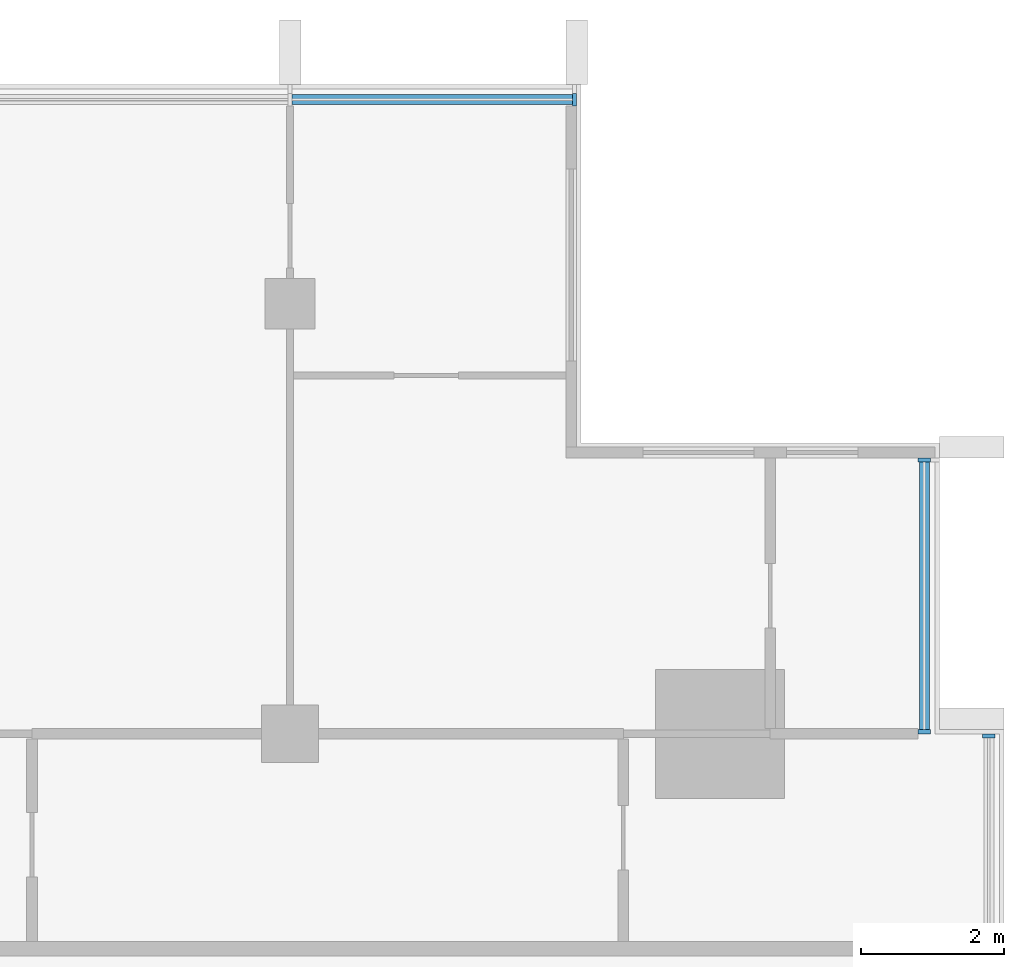
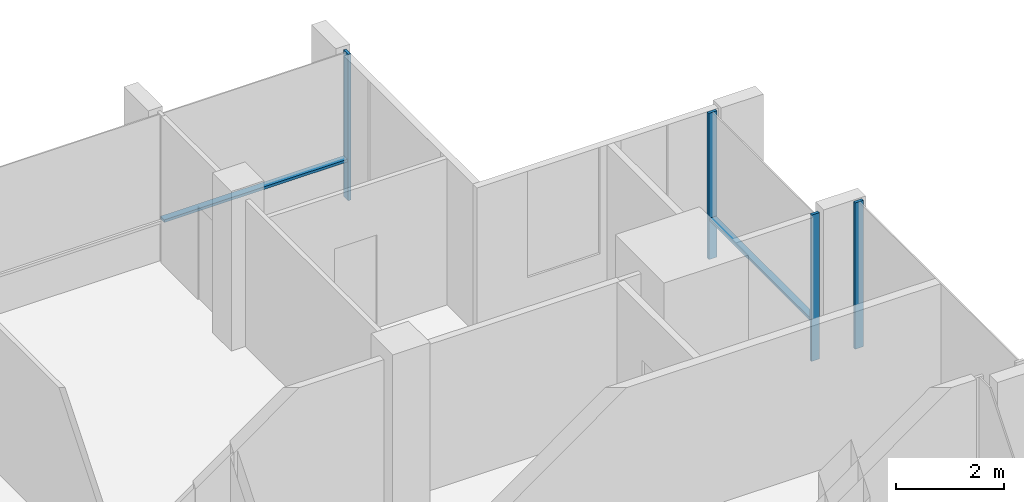
# One storey, part 5 of 16: 6 members, 3 elements without a shape of their own.
"""IFC4 building model written with IfcOpenShell, lengths in metres."""

from ifc_helpers import new_model, si_unit, direction, frame, origin, origin_2d, place, context, subcontext, project, spatial, rectangle, extrude, material, material_profile, profile_set, type_object, element, aggregate, save


model = new_model("IFC4")

# Units and contexts
model_context = context("Model", 3, precision=1e-05, world=origin(), true_north=direction((0.0, 1.0)))
body_context = subcontext(model_context, "Body", "Model", "MODEL_VIEW")
ifc_project = project(units=[si_unit("LENGTHUNIT", "METRE"), si_unit("AREAUNIT", "SQUARE_METRE"), si_unit("VOLUMEUNIT", "CUBIC_METRE"), si_unit("PLANEANGLEUNIT", "RADIAN"), si_unit("MASSUNIT", "GRAM", prefix="KILO")], contexts=[model_context])

# Site, building, storey
site_placement = place(None, origin())
site = spatial("IfcSite", under=ifc_project, at=site_placement, CompositionType="ELEMENT")
building_placement = place(site_placement, origin())
building = spatial("IfcBuilding", under=site, at=building_placement, Name="Finial Court Residences", CompositionType="ELEMENT")
storey_placement = place(building_placement, frame((0.0, 0.0, 287.89990234375)))
storey = spatial("IfcBuildingStorey", under=building, at=storey_placement, Name="L73", CompositionType="ELEMENT", Elevation=287.89990234375)

# Curtain wall, member
ifc_material = material(Name="Bronze anodised aluminium", Category="aluminium")
curtain_wall_type = type_object("IfcCurtainWallType", Name="Unitised curtain wall, upper zones", PredefinedType="NOTDEFINED", material=ifc_material)
curtain_wall_1_placement = place(storey_placement, origin())
curtain_wall_1 = element("IfcCurtainWall", 1, at=curtain_wall_1_placement, inside=storey, type_object=curtain_wall_type, Name="E-L73-CW-N3", PredefinedType="NOTDEFINED")
ifc_material_profile_1 = material_profile(ifc_material, rectangle(XDim=0.175048828125, YDim=0.06005859375, at=origin_2d()), Name="CW2 mullion 60 x 175")
ifc_profile_set_1 = profile_set([ifc_material_profile_1], Name="Bronze anodised aluminium")
member_type_1 = type_object("IfcMemberType", Name="CW2 mullion 60 x 175", PredefinedType="MULLION", material=ifc_profile_set_1)
member_1_placement = place(storey_placement, frame((14.469970703125, 16.35009765625, 0.0), z_axis=(0.0, 0.0, 1.0), x_axis=(0.0, 1.0, 0.0)))
member_1 = element("IfcMember", 2, at=member_1_placement, type_object=member_type_1, Name="CW2 mullion 3", PredefinedType="MULLION", context=body_context, shape_type="SweptSolid", body=[
    extrude(rectangle(XDim=0.175048828125, YDim=0.06005859375, at=origin_2d()), origin(), (0.0, 0.0, 1.0), 3.300048828125),
])

curtain_wall_2_placement = place(storey_placement, origin())
curtain_wall_2 = element("IfcCurtainWall", 3, at=curtain_wall_2_placement, inside=storey, type_object=curtain_wall_type, Name="E-L73-CW-E5", PredefinedType="NOTDEFINED")
member_2_placement = place(storey_placement, frame((20.25, 7.469970703125, 0.0), z_axis=(0.0, 0.0, 1.0), x_axis=(-1.0, 0.0, 0.0)))
member_2 = element("IfcMember", 4, at=member_2_placement, type_object=member_type_1, Name="CW2 mullion 2", PredefinedType="MULLION", context=body_context, shape_type="SweptSolid", body=[
    extrude(rectangle(XDim=0.175048828125, YDim=0.06005859375, at=origin_2d()), origin(), (0.0, 0.0, 1.0), 3.300048828125),
])
aggregate(curtain_wall_2, [member_2])

# Curtain wall, members
curtain_wall_3_placement = place(storey_placement, origin())
curtain_wall_3 = element("IfcCurtainWall", 5, at=curtain_wall_3_placement, inside=storey, type_object=curtain_wall_type, Name="E-L73-CW-E6", PredefinedType="NOTDEFINED")
member_3_placement = place(storey_placement, frame((19.35009765625, 7.530029296875, 0.0), z_axis=(0.0, 0.0, 1.0), x_axis=(-1.0, 0.0, 0.0)))
member_3 = element("IfcMember", 6, at=member_3_placement, type_object=member_type_1, Name="CW2 mullion 1", PredefinedType="MULLION", context=body_context, shape_type="SweptSolid", body=[
    extrude(rectangle(XDim=0.175048828125, YDim=0.06005859375, at=origin_2d()), origin(), (0.0, 0.0, 1.0), 3.300048828125),
])
member_4_placement = place(storey_placement, frame((19.35009765625, 11.320068359375, 0.0), z_axis=(0.0, 0.0, 1.0), x_axis=(-1.0, 0.0, 0.0)))
member_4 = element("IfcMember", 7, at=member_4_placement, type_object=member_type_1, Name="CW2 mullion 2", PredefinedType="MULLION", context=body_context, shape_type="SweptSolid", body=[
    extrude(rectangle(XDim=0.175048828125, YDim=0.06005859375, at=origin_2d()), origin(), (0.0, 0.0, 1.0), 3.300048828125),
])

# Member
ifc_material_profile_2 = material_profile(ifc_material, rectangle(XDim=0.139892578125, YDim=0.06005859375, at=origin_2d()), Name="CW2 transom 60 x 140")
ifc_profile_set_2 = profile_set([ifc_material_profile_2], Name="Bronze anodised aluminium")
member_type_2 = type_object("IfcMemberType", Name="CW2 transom 60 x 140", PredefinedType="USERDEFINED", material=ifc_profile_set_2)
member_5_placement = place(storey_placement, frame((10.530029296875, 16.35009765625, 0.900146484375), z_axis=(1.0, 0.0, 0.0), x_axis=(0.0, 1.0, 0.0)))
member_5 = element("IfcMember", 8, at=member_5_placement, type_object=member_type_2, Name="CW2 transom 2.1", ObjectType="TRANSOM", PredefinedType="USERDEFINED", context=body_context, shape_type="SweptSolid", body=[
    extrude(rectangle(XDim=0.139892578125, YDim=0.06005859375, at=origin_2d()), origin(), (0.0, 0.0, 1.0), 3.909912109375),
])

aggregate(curtain_wall_1, [member_1, member_5])

member_6_placement = place(storey_placement, frame((19.35009765625, 7.56005859375, 0.900146484375), z_axis=(0.0, 1.0, 0.0), x_axis=(-1.0, 0.0, 0.0)))
member_6 = element("IfcMember", 9, at=member_6_placement, type_object=member_type_2, Name="CW2 transom 1.1", ObjectType="TRANSOM", PredefinedType="USERDEFINED", context=body_context, shape_type="SweptSolid", body=[
    extrude(rectangle(XDim=0.139892578125, YDim=0.06005859375, at=origin_2d()), origin(), (0.0, 0.0, 1.0), 3.72998046875),
])

aggregate(curtain_wall_3, [member_3, member_4, member_6])

save(model, "model.ifc")
